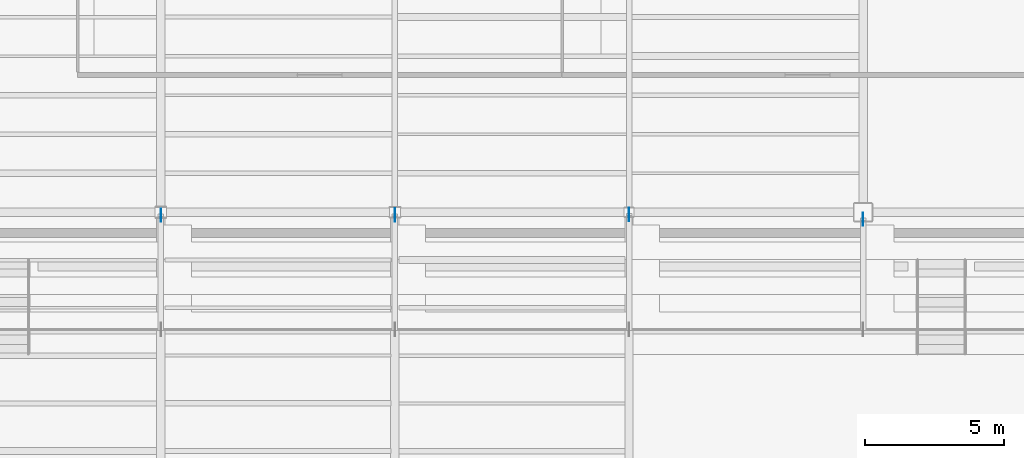
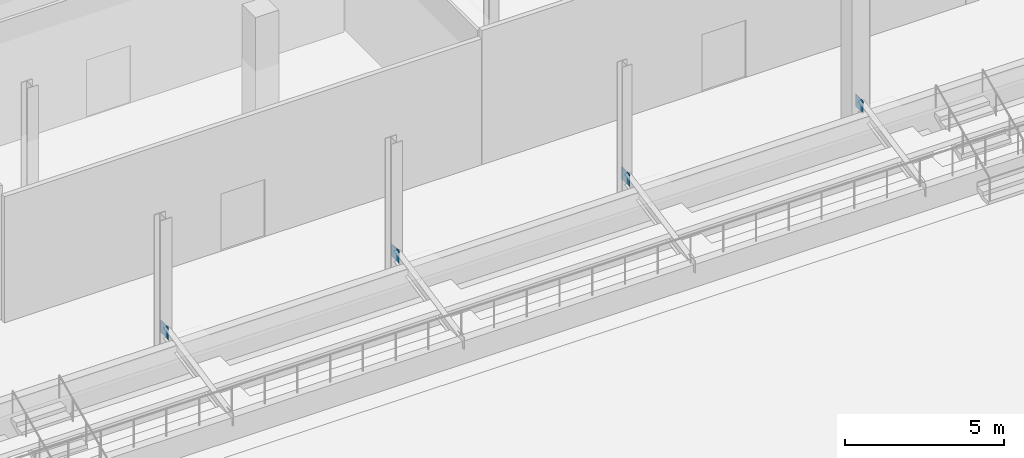
# One storey, part 96 of 135: 4 plates.
"""IFC4 building model written with IfcOpenShell, lengths in metres."""

from ifc_helpers import new_model, si_unit, direction, frame, origin, origin_2d, place, context, subcontext, project, spatial, rectangle, extrude, material, layer, layer_set, type_object, element, save


model = new_model("IFC4")

# Units and contexts
model_context = context("Model", 3, precision=1e-05, world=origin(), true_north=direction((0.0, 1.0)))
body_context = subcontext(model_context, "Body", "Model", "MODEL_VIEW")
ifc_project = project(units=[si_unit("LENGTHUNIT", "METRE"), si_unit("AREAUNIT", "SQUARE_METRE"), si_unit("VOLUMEUNIT", "CUBIC_METRE"), si_unit("PLANEANGLEUNIT", "RADIAN"), si_unit("MASSUNIT", "GRAM", prefix="KILO")], contexts=[model_context])

# Site, building, storey
site_placement = place(None, origin())
site = spatial("IfcSite", under=ifc_project, at=site_placement, CompositionType="ELEMENT")
building_placement = place(site_placement, origin())
building = spatial("IfcBuilding", under=site, at=building_placement, Name="Larkvane Passage Sports Hall", CompositionType="ELEMENT")
storey_placement = place(building_placement, frame((0.0, 0.0, 10.800048828125)))
storey = spatial("IfcBuildingStorey", under=building, at=storey_placement, Name="L02", CompositionType="ELEMENT", Elevation=10.800048828125)

# Plates
ifc_material = material(Name="Steel S460N", Category="steel")
ifc_layer = layer(ifc_material, 0.01611328125)
ifc_layer_set = layer_set([ifc_layer], Name="Steel S460N")
plate_type = type_object("IfcPlateType", Name="PLT-GUS-16", PredefinedType="USERDEFINED", material=ifc_layer_set)
for number, where, z_axis, x_axis, name in (
    (1, (51.60009765625, 75.492919921875, 1.43994140625), (0.0, 0.0, 1.0), (0.0, 1.0, 0.0), "Brace connection gusset plate 0054"),
    (2, (60.0, 75.5, 1.44189453125), (0.0, 0.0, 1.0), (0.0, 1.0, 0.0), "Brace connection gusset plate 0058"),
    (3, (68.39990234375, 75.52490234375, 1.447021484375), (0.0, 0.0, 1.0), (0.0, 1.0, 0.0), "Brace connection gusset plate 0062"),
    (4, (76.800048828125, 75.35009765625, 1.410888671875), (0.0, 0.0, 1.0), (0.0, 1.0, 0.0), "Brace connection gusset plate 0066"),
):
    element("IfcPlate", number, at=place(storey_placement, frame(where, z_axis=z_axis, x_axis=x_axis)), inside=storey, type_object=plate_type, Name=name, ObjectType="GUSSET PLATE", PredefinedType="USERDEFINED", context=body_context, shape_type="SweptSolid", body=[
        extrude(rectangle(XDim=0.47998046875, YDim=0.01611328125, at=origin_2d()), origin(), (0.0, 0.0, 1.0), 0.47998046875),
    ])

save(model, "model.ifc")
